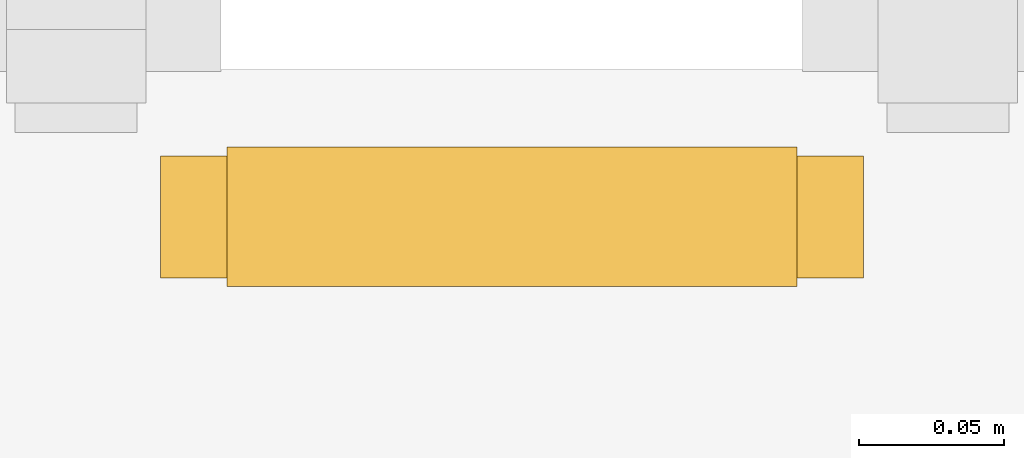
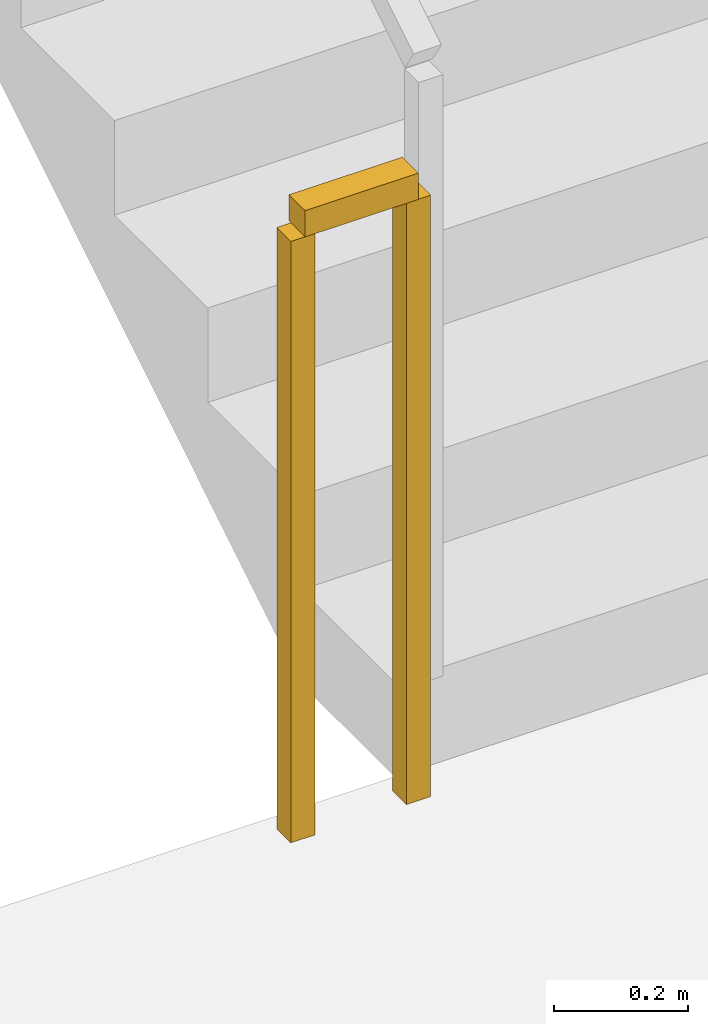
# One storey, part 29 of 32: 1 railing.
"""IFC4 building model written with IfcOpenShell, lengths in metres."""

import ifcopenshell
import ifcopenshell.guid

model = None  # the IFC model being written
_history = None  # IfcOwnerHistory: only IFC2X3 demands one
_inside = {}  # id of a spatial element -> (the spatial element, [elements in it])
_under = {}  # id of a project, library or spatial element -> (it, [spatial elements below it])
_declared = {}  # id of a project -> (the project, [libraries it declares])
_typed = {}  # id of a type object -> (the type object, [elements of that type])
_made_of = {}  # id of a material, layer set ... -> (it, [elements and type objects made of it])


def new_model(schema):
    """Start an empty IFC model of exactly this schema.

    Asked for "IFC4X3", IfcOpenShell would pick the latest addendum, in which some entities
    have other attributes; the version numbers below select the first issue.
    IFC2X3 requires an IfcOwnerHistory on every rooted entity: one is made here for all.
    """
    global model, _history
    if schema == "IFC4X3":
        model = ifcopenshell.file(schema_version=(4, 3, 0, 0))
    else:
        model = ifcopenshell.file(schema=schema)
    _inside.clear()
    _under.clear()
    _declared.clear()
    _typed.clear()
    _made_of.clear()
    _history = None
    if model.schema == "IFC2X3":
        org = make("IfcOrganization", Name="unknown")
        user = make(
            "IfcPersonAndOrganization",
            ThePerson=make("IfcPerson", FamilyName="unknown"),
            TheOrganization=org,
        )
        app = make(
            "IfcApplication",
            ApplicationDeveloper=org,
            Version="unknown",
            ApplicationFullName="unknown",
            ApplicationIdentifier="unknown",
        )
        _history = make(
            "IfcOwnerHistory",
            OwningUser=user,
            OwningApplication=app,
            ChangeAction="ADDED",
            CreationDate=0,
        )
    return model


def make(cls, **values):
    """One entity of the class cls with the attributes given. An attribute that is None is left unset."""
    return model.create_entity(
        cls, **{name: value for name, value in values.items() if value is not None}
    )


def rooted(cls, **values):
    """An entity with a GlobalId (a new one), such as an element, a storey or a relation."""
    return make(cls, GlobalId=ifcopenshell.guid.new(), OwnerHistory=_history, **values)


def si_unit(unit_type, name, prefix=None):
    """IfcSIUnit, for example si_unit("LENGTHUNIT", "METRE", prefix="MILLI")."""
    return make("IfcSIUnit", UnitType=unit_type, Prefix=prefix, Name=name)


def assignment(units):
    """IfcUnitAssignment: the units of a project."""
    return None if units is None else make("IfcUnitAssignment", Units=units)


def point(xyz):
    """IfcCartesianPoint."""
    return None if xyz is None else make("IfcCartesianPoint", Coordinates=xyz)


def direction(xyz):
    """IfcDirection."""
    return None if xyz is None else make("IfcDirection", DirectionRatios=xyz)


def frame(location, z_axis=None, x_axis=None):
    """IfcAxis2Placement3D, a coordinate frame: its origin and axes. An axis left out is left unset."""
    return make(
        "IfcAxis2Placement3D",
        Location=point(location),
        Axis=direction(z_axis),
        RefDirection=direction(x_axis),
    )


def frame_2d(location, x_axis=None):
    """IfcAxis2Placement2D, a coordinate frame in the plane: its origin and x axis."""
    return make(
        "IfcAxis2Placement2D", Location=point(location), RefDirection=direction(x_axis)
    )


def origin():
    """The frame at (0, 0, 0) with its axes left unset."""
    return frame((0.0, 0.0, 0.0))


def origin_2d():
    """The frame at (0, 0) in the plane with its x axis left unset."""
    return frame_2d((0.0, 0.0))


def place(relative_to, where):
    """IfcLocalPlacement: puts the frame where relative to a parent placement (None: the world)."""
    return make(
        "IfcLocalPlacement", PlacementRelTo=relative_to, RelativePlacement=where
    )


def context(
    kind, dimensions, precision=None, world=None, true_north=None, identifier=None
):
    """IfcGeometricRepresentationContext, for example the 3D "Model" context."""
    return make(
        "IfcGeometricRepresentationContext",
        ContextIdentifier=identifier,
        ContextType=kind,
        CoordinateSpaceDimension=dimensions,
        Precision=precision,
        WorldCoordinateSystem=world,
        TrueNorth=true_north,
    )


def subcontext(parent, identifier, kind, view, scale=None):
    """IfcGeometricRepresentationSubContext, for example "Body" below "Model"."""
    return make(
        "IfcGeometricRepresentationSubContext",
        ContextIdentifier=identifier,
        ContextType=kind,
        ParentContext=parent,
        TargetScale=scale,
        TargetView=view,
    )


def project(units=None, contexts=None):
    """IfcProject with its units and contexts."""
    return rooted(
        "IfcProject",
        Name="project",
        RepresentationContexts=contexts,
        UnitsInContext=assignment(units),
    )


def spatial(cls, under=None, at=None, **own):
    """A site, building, storey or space (cls), placed at a placement, below another one or the project."""
    s = rooted(cls, ObjectPlacement=at, **own)
    if under is not None:
        _under.setdefault(under.id(), (under, []))[1].append(s)
    return s


def profile(cls, at=None, kind="AREA", **sizes):
    """A parametric profile (cls). Its sizes go by their IFC names, for example OverallWidth=200.0."""
    return make(cls, ProfileType=kind, Position=at, **sizes)


def rectangle(**sizes):
    """IfcRectangleProfileDef."""
    return profile("IfcRectangleProfileDef", **sizes)


def extrude(swept, where, along, depth):
    """IfcExtrudedAreaSolid: the profile swept, set in the frame where, extruded along a direction by depth."""
    return make(
        "IfcExtrudedAreaSolid",
        SweptArea=swept,
        Position=where,
        ExtrudedDirection=direction(along),
        Depth=depth,
    )


def shape(context_of_items, identifier, shape_type, items):
    """IfcShapeRepresentation: the items that make up one representation, for example the "Body"."""
    return make(
        "IfcShapeRepresentation",
        ContextOfItems=context_of_items,
        RepresentationIdentifier=identifier,
        RepresentationType=shape_type,
        Items=items,
    )


def material(Name=None, Category=None):
    """IfcMaterial."""
    return make("IfcMaterial", Name=Name, Category=Category)


def made_of(thing, what):
    """Note that an element or type object is made of a material, layer set ...; save() writes the relation."""
    if what is not None:
        _made_of.setdefault(what.id(), (what, []))[1].append(thing)
    return thing


def type_object(cls, material=None, **own):
    """A type object (cls), such as IfcWallType, which elements share."""
    return made_of(rooted(cls, **own), material)


def element(
    cls,
    number,
    at=None,
    inside=None,
    cuts=None,
    type_object=None,
    material=None,
    context=None,
    identifier="Body",
    shape_type=None,
    held_by="IfcProductDefinitionShape",
    body=None,
    shapes=None,
    **own,
):
    """One element of the class cls, such as IfcWall. Its Tag is "e" and its number.

    at: its placement. inside: the storey or other place that contains it. cuts: it is an
    opening in that element (IfcRelVoidsElement). A single representation is given by context,
    identifier, shape_type and body (its items); several are given by shapes. held_by: the class
    of the entity that holds the representations. save() writes the other relations.
    """
    e = rooted(cls, Tag="e%d" % number, ObjectPlacement=at, **own)
    if body is not None:
        shapes = [shape(context, identifier, shape_type, body)]
    if shapes is not None:
        e.Representation = make(held_by, Representations=shapes)
    if inside is not None:
        _inside.setdefault(inside.id(), (inside, []))[1].append(e)
    if cuts is not None:
        rooted(
            "IfcRelVoidsElement", RelatingBuildingElement=cuts, RelatedOpeningElement=e
        )
    if type_object is not None:
        _typed.setdefault(type_object.id(), (type_object, []))[1].append(e)
    return made_of(e, material)


def aggregate(whole, parts):
    """IfcRelAggregates: a whole, such as a stair, and the parts it consists of."""
    return rooted("IfcRelAggregates", RelatingObject=whole, RelatedObjects=parts)


def save(model, path):
    """Write the relations noted so far, then the file.

    IfcRelAggregates (storeys below a building ...), IfcRelContainedInSpatialStructure (elements
    in a storey), IfcRelDefinesByType, IfcRelAssociatesMaterial and IfcRelDeclares: one each for
    every whole, place, type object, material and project.
    """
    for whole, parts in _under.values():
        aggregate(whole, parts)
    for where, things in _inside.values():
        rooted(
            "IfcRelContainedInSpatialStructure",
            RelatedElements=things,
            RelatingStructure=where,
        )
    for kind, things in _typed.values():
        rooted("IfcRelDefinesByType", RelatedObjects=things, RelatingType=kind)
    for what, things in _made_of.values():
        rooted("IfcRelAssociatesMaterial", RelatedObjects=things, RelatingMaterial=what)
    for by, libraries in _declared.values():
        rooted("IfcRelDeclares", RelatingContext=by, RelatedDefinitions=libraries)
    model.write(path)


model = new_model("IFC4")

# Units and contexts
model_context = context("Model", 3, precision=1e-05, world=origin(), true_north=direction((0.0, 1.0)))
body_context = subcontext(model_context, "Body", "Model", "MODEL_VIEW")
ifc_project = project(units=[si_unit("LENGTHUNIT", "METRE"), si_unit("AREAUNIT", "SQUARE_METRE"), si_unit("VOLUMEUNIT", "CUBIC_METRE"), si_unit("PLANEANGLEUNIT", "RADIAN"), si_unit("MASSUNIT", "GRAM", prefix="KILO")], contexts=[model_context])

# Site, building, storey
site_placement = place(None, origin())
site = spatial("IfcSite", under=ifc_project, at=site_placement, CompositionType="ELEMENT")
building_placement = place(site_placement, origin())
building = spatial("IfcBuilding", under=site, at=building_placement, Name="Zuhravey Tower", CompositionType="ELEMENT")
storey_placement = place(building_placement, frame((0.0, 0.0, 119.0)))
storey = spatial("IfcBuildingStorey", under=building, at=storey_placement, Name="L29", CompositionType="ELEMENT", Elevation=119.0)

# Railing
ifc_material = material(Name="Painted tubular steel", Category="steel")
railing_type = type_object("IfcRailingType", Name="Stair Well Guardrail 1150", PredefinedType="GUARDRAIL", material=ifc_material)
railing_placement = place(storey_placement, frame((28.0, 33.14990234375, 0.0)))
element("IfcRailing", 1, at=railing_placement, inside=storey, type_object=railing_type, Name="L29 ST1 stair guard 4", PredefinedType="GUARDRAIL", context=body_context, shape_type="SweptSolid", body=[
    extrude(rectangle(XDim=0.048095703125, YDim=0.048095703125, at=origin_2d()), frame((-0.001953125, 0.0, 1.1259765625), z_axis=(-1.0, 0.0, 0.0), x_axis=(0.0, -1.0, 0.0)), (0.0, 0.0, 1.0), 0.196044921875),
    extrude(rectangle(XDim=0.0419921875, YDim=0.0419921875, at=origin_2d()), origin(), (0.0, 0.0, 1.0), 1.099853515625),
    extrude(rectangle(XDim=0.0419921875, YDim=0.0419921875, at=origin_2d()), frame((-0.199951171875, 0.0, 0.0)), (0.0, 0.0, 1.0), 1.099853515625),
])

save(model, "model.ifc")
